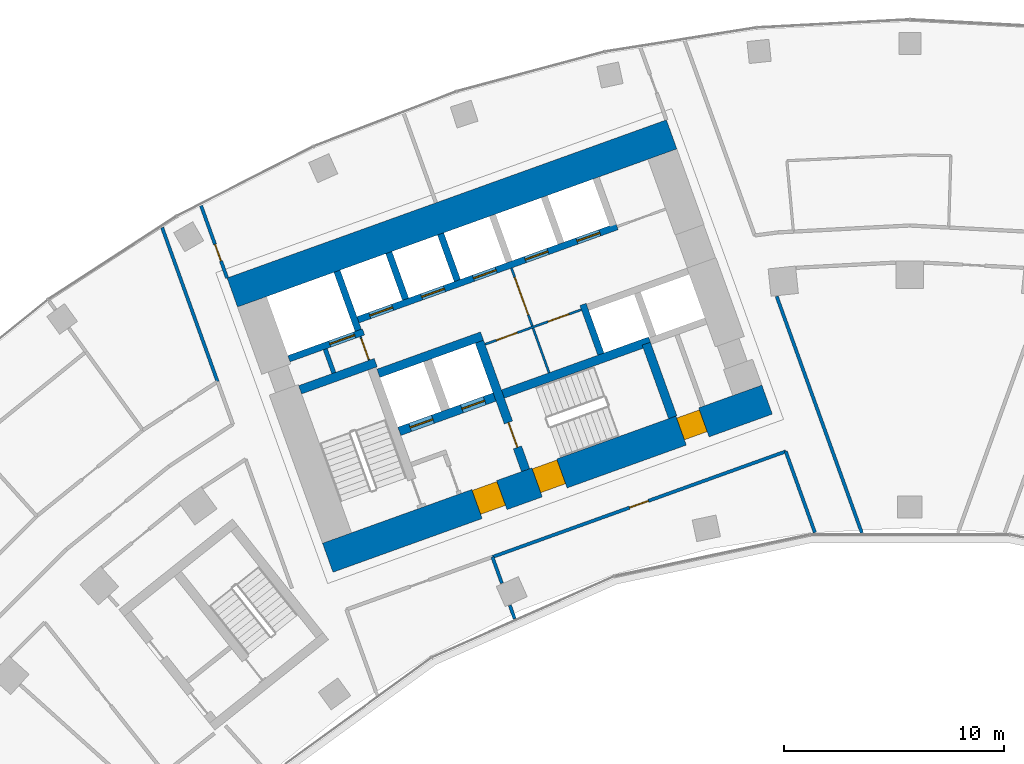
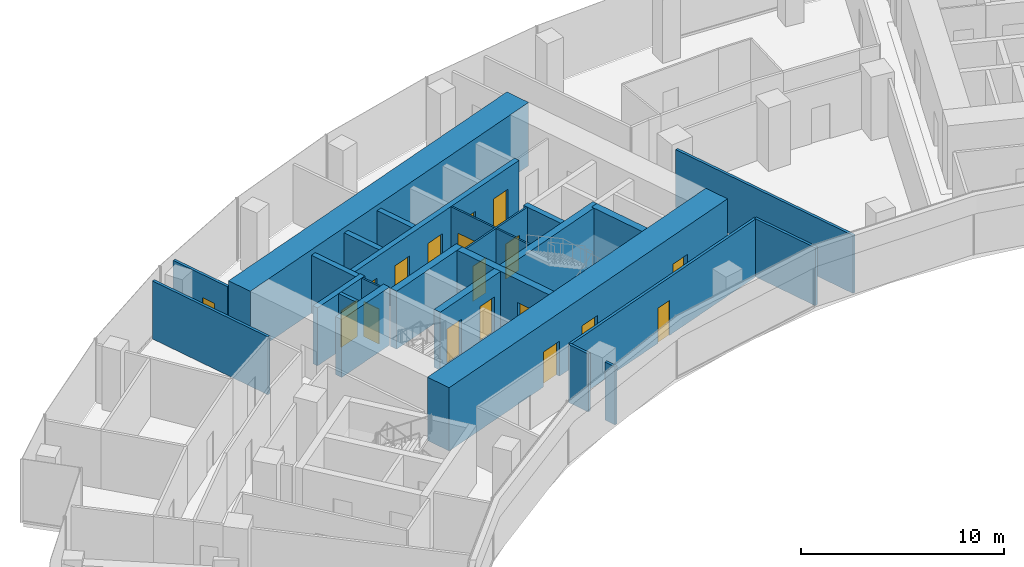
# One storey, part 14 of 20: 24 walls, 18 doors, 18 openings.
"""IFC4 building model written with IfcOpenShell, lengths in metres."""

import ifcopenshell
import ifcopenshell.guid

model = None  # the IFC model being written
_history = None  # IfcOwnerHistory: only IFC2X3 demands one
_inside = {}  # id of a spatial element -> (the spatial element, [elements in it])
_under = {}  # id of a project, library or spatial element -> (it, [spatial elements below it])
_declared = {}  # id of a project -> (the project, [libraries it declares])
_typed = {}  # id of a type object -> (the type object, [elements of that type])
_made_of = {}  # id of a material, layer set ... -> (it, [elements and type objects made of it])


def new_model(schema):
    """Start an empty IFC model of exactly this schema.

    Asked for "IFC4X3", IfcOpenShell would pick the latest addendum, in which some entities
    have other attributes; the version numbers below select the first issue.
    IFC2X3 requires an IfcOwnerHistory on every rooted entity: one is made here for all.
    """
    global model, _history
    if schema == "IFC4X3":
        model = ifcopenshell.file(schema_version=(4, 3, 0, 0))
    else:
        model = ifcopenshell.file(schema=schema)
    _inside.clear()
    _under.clear()
    _declared.clear()
    _typed.clear()
    _made_of.clear()
    _history = None
    if model.schema == "IFC2X3":
        org = make("IfcOrganization", Name="unknown")
        user = make(
            "IfcPersonAndOrganization",
            ThePerson=make("IfcPerson", FamilyName="unknown"),
            TheOrganization=org,
        )
        app = make(
            "IfcApplication",
            ApplicationDeveloper=org,
            Version="unknown",
            ApplicationFullName="unknown",
            ApplicationIdentifier="unknown",
        )
        _history = make(
            "IfcOwnerHistory",
            OwningUser=user,
            OwningApplication=app,
            ChangeAction="ADDED",
            CreationDate=0,
        )
    return model


def make(cls, **values):
    """One entity of the class cls with the attributes given. An attribute that is None is left unset."""
    return model.create_entity(
        cls, **{name: value for name, value in values.items() if value is not None}
    )


def rooted(cls, **values):
    """An entity with a GlobalId (a new one), such as an element, a storey or a relation."""
    return make(cls, GlobalId=ifcopenshell.guid.new(), OwnerHistory=_history, **values)


def si_unit(unit_type, name, prefix=None):
    """IfcSIUnit, for example si_unit("LENGTHUNIT", "METRE", prefix="MILLI")."""
    return make("IfcSIUnit", UnitType=unit_type, Prefix=prefix, Name=name)


def assignment(units):
    """IfcUnitAssignment: the units of a project."""
    return None if units is None else make("IfcUnitAssignment", Units=units)


def point(xyz):
    """IfcCartesianPoint."""
    return None if xyz is None else make("IfcCartesianPoint", Coordinates=xyz)


def direction(xyz):
    """IfcDirection."""
    return None if xyz is None else make("IfcDirection", DirectionRatios=xyz)


def frame(location, z_axis=None, x_axis=None):
    """IfcAxis2Placement3D, a coordinate frame: its origin and axes. An axis left out is left unset."""
    return make(
        "IfcAxis2Placement3D",
        Location=point(location),
        Axis=direction(z_axis),
        RefDirection=direction(x_axis),
    )


def frame_2d(location, x_axis=None):
    """IfcAxis2Placement2D, a coordinate frame in the plane: its origin and x axis."""
    return make(
        "IfcAxis2Placement2D", Location=point(location), RefDirection=direction(x_axis)
    )


def origin():
    """The frame at (0, 0, 0) with its axes left unset."""
    return frame((0.0, 0.0, 0.0))


def place(relative_to, where):
    """IfcLocalPlacement: puts the frame where relative to a parent placement (None: the world)."""
    return make(
        "IfcLocalPlacement", PlacementRelTo=relative_to, RelativePlacement=where
    )


def context(
    kind, dimensions, precision=None, world=None, true_north=None, identifier=None
):
    """IfcGeometricRepresentationContext, for example the 3D "Model" context."""
    return make(
        "IfcGeometricRepresentationContext",
        ContextIdentifier=identifier,
        ContextType=kind,
        CoordinateSpaceDimension=dimensions,
        Precision=precision,
        WorldCoordinateSystem=world,
        TrueNorth=true_north,
    )


def subcontext(parent, identifier, kind, view, scale=None):
    """IfcGeometricRepresentationSubContext, for example "Body" below "Model"."""
    return make(
        "IfcGeometricRepresentationSubContext",
        ContextIdentifier=identifier,
        ContextType=kind,
        ParentContext=parent,
        TargetScale=scale,
        TargetView=view,
    )


def project(units=None, contexts=None):
    """IfcProject with its units and contexts."""
    return rooted(
        "IfcProject",
        Name="project",
        RepresentationContexts=contexts,
        UnitsInContext=assignment(units),
    )


def spatial(cls, under=None, at=None, **own):
    """A site, building, storey or space (cls), placed at a placement, below another one or the project."""
    s = rooted(cls, ObjectPlacement=at, **own)
    if under is not None:
        _under.setdefault(under.id(), (under, []))[1].append(s)
    return s


def profile(cls, at=None, kind="AREA", **sizes):
    """A parametric profile (cls). Its sizes go by their IFC names, for example OverallWidth=200.0."""
    return make(cls, ProfileType=kind, Position=at, **sizes)


def rectangle(**sizes):
    """IfcRectangleProfileDef."""
    return profile("IfcRectangleProfileDef", **sizes)


def extrude(swept, where, along, depth):
    """IfcExtrudedAreaSolid: the profile swept, set in the frame where, extruded along a direction by depth."""
    return make(
        "IfcExtrudedAreaSolid",
        SweptArea=swept,
        Position=where,
        ExtrudedDirection=direction(along),
        Depth=depth,
    )


def shape(context_of_items, identifier, shape_type, items):
    """IfcShapeRepresentation: the items that make up one representation, for example the "Body"."""
    return make(
        "IfcShapeRepresentation",
        ContextOfItems=context_of_items,
        RepresentationIdentifier=identifier,
        RepresentationType=shape_type,
        Items=items,
    )


def material(Name=None, Category=None):
    """IfcMaterial."""
    return make("IfcMaterial", Name=Name, Category=Category)


def layer(
    of_material, thickness, ventilated=None, Name=None, Category=None, Priority=None
):
    """IfcMaterialLayer: one layer of a wall or slab, of a material (None: an air gap)."""
    return make(
        "IfcMaterialLayer",
        Material=of_material,
        LayerThickness=thickness,
        IsVentilated=ventilated,
        Name=Name,
        Category=Category,
        Priority=Priority,
    )


def layer_set(layers, Name=None):
    """IfcMaterialLayerSet."""
    return make("IfcMaterialLayerSet", MaterialLayers=layers, LayerSetName=Name)


def made_of(thing, what):
    """Note that an element or type object is made of a material, layer set ...; save() writes the relation."""
    if what is not None:
        _made_of.setdefault(what.id(), (what, []))[1].append(thing)
    return thing


def type_object(cls, material=None, **own):
    """A type object (cls), such as IfcWallType, which elements share."""
    return made_of(rooted(cls, **own), material)


def element(
    cls,
    number,
    at=None,
    inside=None,
    cuts=None,
    type_object=None,
    material=None,
    context=None,
    identifier="Body",
    shape_type=None,
    held_by="IfcProductDefinitionShape",
    body=None,
    shapes=None,
    **own,
):
    """One element of the class cls, such as IfcWall. Its Tag is "e" and its number.

    at: its placement. inside: the storey or other place that contains it. cuts: it is an
    opening in that element (IfcRelVoidsElement). A single representation is given by context,
    identifier, shape_type and body (its items); several are given by shapes. held_by: the class
    of the entity that holds the representations. save() writes the other relations.
    """
    e = rooted(cls, Tag="e%d" % number, ObjectPlacement=at, **own)
    if body is not None:
        shapes = [shape(context, identifier, shape_type, body)]
    if shapes is not None:
        e.Representation = make(held_by, Representations=shapes)
    if inside is not None:
        _inside.setdefault(inside.id(), (inside, []))[1].append(e)
    if cuts is not None:
        rooted(
            "IfcRelVoidsElement", RelatingBuildingElement=cuts, RelatedOpeningElement=e
        )
    if type_object is not None:
        _typed.setdefault(type_object.id(), (type_object, []))[1].append(e)
    return made_of(e, material)


def fill(opening, filler):
    """IfcRelFillsElement: the door or window that sits in an opening."""
    return rooted(
        "IfcRelFillsElement",
        RelatingOpeningElement=opening,
        RelatedBuildingElement=filler,
    )


def aggregate(whole, parts):
    """IfcRelAggregates: a whole, such as a stair, and the parts it consists of."""
    return rooted("IfcRelAggregates", RelatingObject=whole, RelatedObjects=parts)


def save(model, path):
    """Write the relations noted so far, then the file.

    IfcRelAggregates (storeys below a building ...), IfcRelContainedInSpatialStructure (elements
    in a storey), IfcRelDefinesByType, IfcRelAssociatesMaterial and IfcRelDeclares: one each for
    every whole, place, type object, material and project.
    """
    for whole, parts in _under.values():
        aggregate(whole, parts)
    for where, things in _inside.values():
        rooted(
            "IfcRelContainedInSpatialStructure",
            RelatedElements=things,
            RelatingStructure=where,
        )
    for kind, things in _typed.values():
        rooted("IfcRelDefinesByType", RelatedObjects=things, RelatingType=kind)
    for what, things in _made_of.values():
        rooted("IfcRelAssociatesMaterial", RelatedObjects=things, RelatingMaterial=what)
    for by, libraries in _declared.values():
        rooted("IfcRelDeclares", RelatingContext=by, RelatedDefinitions=libraries)
    model.write(path)


model = new_model("IFC4")

# Units and contexts
model_context = context("Model", 3, precision=1e-05, world=origin(), true_north=direction((0.0, 1.0)))
body_context = subcontext(model_context, "Body", "Model", "MODEL_VIEW")
ifc_project = project(units=[si_unit("LENGTHUNIT", "METRE"), si_unit("AREAUNIT", "SQUARE_METRE"), si_unit("VOLUMEUNIT", "CUBIC_METRE"), si_unit("PLANEANGLEUNIT", "RADIAN"), si_unit("MASSUNIT", "GRAM", prefix="KILO")], contexts=[model_context])

# Site, building, storey
site_placement = place(None, origin())
site = spatial("IfcSite", under=ifc_project, at=site_placement, CompositionType="ELEMENT")
building_placement = place(site_placement, origin())
building = spatial("IfcBuilding", under=site, at=building_placement, Name="Stone Belt Terrace Tower", CompositionType="ELEMENT")
storey_placement = place(building_placement, frame((0.0, 0.0, 182.0)))
storey = spatial("IfcBuildingStorey", under=building, at=storey_placement, Name="L44", CompositionType="ELEMENT", Elevation=182.0)

# Wall, opening, door
ifc_material_1 = material(Name="Plasterboard partition")
ifc_layer_1 = layer(ifc_material_1, 0.10009765625)
ifc_layer_set_1 = layer_set([ifc_layer_1], Name="Core partition 100")
wall_type_1 = type_object("IfcWallType", Name="Core partition 100", PredefinedType="PARTITIONING", material=ifc_layer_set_1)
wall_1_placement = place(storey_placement, frame((-24.555908203125, 51.10400390625, 0.0), z_axis=(0.0, 0.0, 1.0), x_axis=(-0.338621735342, 0.94092258999, 0.0)))
wall_1 = element("IfcWall", 1, at=wall_1_placement, inside=storey, type_object=wall_type_1, Name="Core A wall", PredefinedType="PARTITIONING", context=body_context, shape_type="SweptSolid", body=[
    extrude(rectangle(XDim=1.14990234375, YDim=0.10009765625, at=frame_2d((0.574951171875, 0.0))), origin(), (0.0, 0.0, 1.0), 3.47998046875),
])
opening_1_placement = place(wall_1_placement, frame((0.050048828125, 0.0, 0.0)))
opening_1 = element("IfcOpeningElement", 2, at=opening_1_placement, cuts=wall_1, Name="Opening L44-C05", PredefinedType="OPENING", context=body_context, shape_type="SweptSolid", body=[
    extrude(rectangle(XDim=1.0, YDim=2.10009765625, at=frame_2d((0.5, 1.050048828125))), frame((0.0, 0.06005859375, 0.0), z_axis=(0.0, -1.0, 0.0), x_axis=(1.0, 0.0, 0.0)), (0.0, 0.0, 1.0), 0.1201171875),
])
ifc_material_2 = material(Name="Timber door leaf", Category="wood")
door_type_1 = type_object("IfcDoorType", Name="Core room door 1000", OperationType="SINGLE_SWING_LEFT", PredefinedType="DOOR", material=ifc_material_2)
door_1_placement = place(opening_1_placement, origin())
door_1 = element("IfcDoor", 3, at=door_1_placement, inside=storey, type_object=door_type_1, Name="Service lift lobby door core A", OperationType="SINGLE_SWING_LEFT", OverallHeight=2.10009765625, OverallWidth=1.0, PredefinedType="DOOR", context=body_context, shape_type="SweptSolid", body=[
    extrude(rectangle(XDim=1.0, YDim=2.10009765625, at=frame_2d((0.5, 1.050048828125))), frame((0.0, 0.02490234375, 0.0), z_axis=(0.0, -1.0, 0.0), x_axis=(1.0, 0.0, 0.0)), (0.0, 0.0, 1.0), 0.050048828125),
])
fill(opening_1, door_1)

# Wall, openings, doors
wall_2_placement = place(storey_placement, frame((-19.29052734375, 51.829833984375, 0.0), z_axis=(0.0, 0.0, 1.0), x_axis=(0.940930240745, 0.338600475563, 0.0)))
wall_2 = element("IfcWall", 4, at=wall_2_placement, inside=storey, type_object=wall_type_1, Name="Core A wall", PredefinedType="PARTITIONING", context=body_context, shape_type="SweptSolid", body=[
    extrude(rectangle(XDim=4.64990234375, YDim=0.10009765625, at=frame_2d((2.324951171875, 0.0))), origin(), (0.0, 0.0, 1.0), 3.47998046875),
])
opening_2_placement = place(wall_2_placement, frame((0.550048828125, 0.0, 0.0)))
opening_2 = element("IfcOpeningElement", 5, at=opening_2_placement, cuts=wall_2, Name="Opening L44-C02", PredefinedType="OPENING", context=body_context, shape_type="SweptSolid", body=[
    extrude(rectangle(XDim=1.0, YDim=2.10009765625, at=frame_2d((0.5, 1.050048828125))), frame((0.0, 0.06005859375, 0.0), z_axis=(0.0, -1.0, 0.0), x_axis=(1.0, 0.0, 0.0)), (0.0, 0.0, 1.0), 0.1201171875),
])
opening_3_placement = place(wall_2_placement, frame((3.050048828125, 0.0, 0.0)))
opening_3 = element("IfcOpeningElement", 6, at=opening_3_placement, cuts=wall_2, Name="Opening L44-C03", PredefinedType="OPENING", context=body_context, shape_type="SweptSolid", body=[
    extrude(rectangle(XDim=1.0, YDim=2.10009765625, at=frame_2d((0.5, 1.050048828125))), frame((0.0, 0.06005859375, 0.0), z_axis=(0.0, -1.0, 0.0), x_axis=(1.0, 0.0, 0.0)), (0.0, 0.0, 1.0), 0.1201171875),
])
door_2_placement = place(opening_2_placement, origin())
door_2 = element("IfcDoor", 7, at=door_2_placement, inside=storey, type_object=door_type_1, Name="Door to Staff pantry core A", OperationType="SINGLE_SWING_LEFT", OverallHeight=2.10009765625, OverallWidth=1.0, PredefinedType="DOOR", context=body_context, shape_type="SweptSolid", body=[
    extrude(rectangle(XDim=1.0, YDim=2.10009765625, at=frame_2d((0.5, 1.050048828125))), frame((0.0, 0.02490234375, 0.0), z_axis=(0.0, -1.0, 0.0), x_axis=(1.0, 0.0, 0.0)), (0.0, 0.0, 1.0), 0.050048828125),
])
fill(opening_2, door_2)
door_3_placement = place(opening_3_placement, origin())
door_3 = element("IfcDoor", 8, at=door_3_placement, inside=storey, type_object=door_type_1, Name="Door to Telecommunications room core A", OperationType="SINGLE_SWING_RIGHT", OverallHeight=2.10009765625, OverallWidth=1.0, PredefinedType="DOOR", context=body_context, shape_type="SweptSolid", body=[
    extrude(rectangle(XDim=1.0, YDim=2.10009765625, at=frame_2d((0.5, 1.050048828125))), frame((0.0, 0.02490234375, 0.0), z_axis=(0.0, -1.0, 0.0), x_axis=(1.0, 0.0, 0.0)), (0.0, 0.0, 1.0), 0.050048828125),
])
fill(opening_3, door_3)

# Wall, opening, door
wall_3_placement = place(storey_placement, frame((-16.38134765625, 50.53857421875, 0.0), z_axis=(0.0, 0.0, 1.0), x_axis=(-0.33860476744, 0.940928696271, 0.0)))
wall_3 = element("IfcWall", 9, at=wall_3_placement, inside=storey, type_object=wall_type_1, Name="Core A wall", PredefinedType="PARTITIONING", context=body_context, shape_type="SweptSolid", body=[
    extrude(rectangle(XDim=5.050048828125, YDim=0.10009765625, at=frame_2d((2.52490234375, 0.0))), origin(), (0.0, 0.0, 1.0), 3.47998046875),
])
opening_4_placement = place(wall_3_placement, frame((2.800048828125, 0.0, 0.0)))
opening_4 = element("IfcOpeningElement", 10, at=opening_4_placement, cuts=wall_3, Name="Opening L44-C06", PredefinedType="OPENING", context=body_context, shape_type="SweptSolid", body=[
    extrude(rectangle(XDim=1.800048828125, YDim=2.10009765625, at=frame_2d((0.89990234375, 1.050048828125))), frame((0.0, 0.06005859375, 0.0), z_axis=(0.0, -1.0, 0.0), x_axis=(1.0, 0.0, 0.0)), (0.0, 0.0, 1.0), 0.1201171875),
])
ifc_material_3 = material(Name="Glazed aluminium door leaf", Category="aluminium")
door_type_2 = type_object("IfcDoorType", Name="Lift lobby entrance door 1800", OperationType="DOUBLE_DOOR_SINGLE_SWING", PredefinedType="DOOR", material=ifc_material_3)
door_4_placement = place(opening_4_placement, origin())
door_4 = element("IfcDoor", 11, at=door_4_placement, inside=storey, type_object=door_type_2, Name="Lift lobby double door core A", OperationType="DOUBLE_DOOR_SINGLE_SWING", OverallHeight=2.10009765625, OverallWidth=1.800048828125, PredefinedType="DOOR", context=body_context, shape_type="SweptSolid", body=[
    extrude(rectangle(XDim=1.800048828125, YDim=2.10009765625, at=frame_2d((0.89990234375, 1.050048828125))), frame((0.0, 0.02490234375, 0.0), z_axis=(0.0, -1.0, 0.0), x_axis=(1.0, 0.0, 0.0)), (0.0, 0.0, 1.0), 0.050048828125),
])
fill(opening_4, door_4)

# Wall, openings, doors
ifc_material_4 = material(Name="Concrete B80", Category="concrete")
ifc_layer_2 = layer(ifc_material_4, 1.39990234375)
ifc_layer_set_2 = layer_set([ifc_layer_2], Name="Core wall 1400 B80")
wall_type_2 = type_object("IfcWallType", Name="Core wall 1400 B80", PredefinedType="SHEAR", material=ifc_layer_set_2)
wall_4_placement = place(storey_placement, frame((-26.430908203125, 42.139404296875, 0.0), z_axis=(0.0, 0.0, 1.0), x_axis=(0.940923374003, 0.33861955681, 0.0)))
wall_4 = element("IfcWall", 12, at=wall_4_placement, inside=storey, type_object=wall_type_2, Name="Core A wall concave L44", PredefinedType="SHEAR", context=body_context, shape_type="SweptSolid", body=[
    extrude(rectangle(XDim=21.199951171875, YDim=1.39990234375, at=frame_2d((10.60009765625, 0.0))), origin(), (0.0, 0.0, 1.0), 3.800048828125),
])
opening_5_placement = place(wall_4_placement, frame((7.199951171875, 0.0, 0.0)))
opening_5 = element("IfcOpeningElement", 13, at=opening_5_placement, cuts=wall_4, Name="Opening L44-C10", PredefinedType="OPENING", context=body_context, shape_type="SweptSolid", body=[
    extrude(rectangle(XDim=1.199951171875, YDim=2.10009765625, at=frame_2d((0.60009765625, 1.050048828125))), frame((0.0, 0.7099609375, 0.0), z_axis=(0.0, -1.0, 0.0), x_axis=(1.0, 0.0, 0.0)), (0.0, 0.0, 1.0), 1.419921875),
])
opening_6_placement = place(wall_4_placement, frame((10.099853515625, 0.0, 0.0)))
opening_6 = element("IfcOpeningElement", 14, at=opening_6_placement, cuts=wall_4, Name="Opening L44-C12", PredefinedType="OPENING", context=body_context, shape_type="SweptSolid", body=[
    extrude(rectangle(XDim=1.199951171875, YDim=2.10009765625, at=frame_2d((0.60009765625, 1.050048828125))), frame((0.0, 0.7099609375, 0.0), z_axis=(0.0, -1.0, 0.0), x_axis=(1.0, 0.0, 0.0)), (0.0, 0.0, 1.0), 1.419921875),
])
opening_7_placement = place(wall_4_placement, frame((17.050048828125, 0.0, 0.0)))
opening_7 = element("IfcOpeningElement", 15, at=opening_7_placement, cuts=wall_4, Name="Opening L44-C14", PredefinedType="OPENING", context=body_context, shape_type="SweptSolid", body=[
    extrude(rectangle(XDim=1.10009765625, YDim=2.10009765625, at=frame_2d((0.550048828125, 1.050048828125))), frame((0.0, 0.7099609375, 0.0), z_axis=(0.0, -1.0, 0.0), x_axis=(1.0, 0.0, 0.0)), (0.0, 0.0, 1.0), 1.419921875),
])
door_type_3 = type_object("IfcDoorType", Name="Core room door 1100", OperationType="SINGLE_SWING_LEFT", PredefinedType="DOOR", material=ifc_material_2)
door_5_placement = place(opening_7_placement, origin())
door_5 = element("IfcDoor", 16, at=door_5_placement, inside=storey, type_object=door_type_3, Name="Door to Communications riser room core A", OperationType="SINGLE_SWING_LEFT", OverallHeight=2.10009765625, OverallWidth=1.10009765625, PredefinedType="DOOR", context=body_context, shape_type="SweptSolid", body=[
    extrude(rectangle(XDim=1.10009765625, YDim=2.10009765625, at=frame_2d((0.550048828125, 1.050048828125))), frame((0.0, 0.60498046875, 0.0), z_axis=(0.0, -1.0, 0.0), x_axis=(1.0, 0.0, 0.0)), (0.0, 0.0, 1.0), 1.050048828125),
])
fill(opening_7, door_5)
ifc_material_5 = material(Name="Steel door leaf", Category="steel")
door_type_4 = type_object("IfcDoorType", Name="Fire-fighting lobby door 1200", OperationType="SINGLE_SWING_LEFT", PredefinedType="DOOR", material=ifc_material_5)
door_6_placement = place(opening_5_placement, origin())
door_6 = element("IfcDoor", 17, at=door_6_placement, inside=storey, type_object=door_type_4, Name="Fire-fighting lobby door core A", OperationType="SINGLE_SWING_LEFT", OverallHeight=2.10009765625, OverallWidth=1.199951171875, PredefinedType="DOOR", context=body_context, shape_type="SweptSolid", body=[
    extrude(rectangle(XDim=1.199951171875, YDim=2.10009765625, at=frame_2d((0.60009765625, 1.050048828125))), frame((0.0, 0.655029296875, 0.0), z_axis=(0.0, -1.0, 0.0), x_axis=(1.0, 0.0, 0.0)), (0.0, 0.0, 1.0), 1.14990234375),
])
fill(opening_5, door_6)
door_type_5 = type_object("IfcDoorType", Name="Stair door 1200", OperationType="SINGLE_SWING_LEFT", PredefinedType="DOOR", material=ifc_material_5)
door_7_placement = place(opening_6_placement, origin())
door_7 = element("IfcDoor", 18, at=door_7_placement, inside=storey, type_object=door_type_5, Name="Stair 2 exit door core A", OperationType="SINGLE_SWING_RIGHT", OverallHeight=2.10009765625, OverallWidth=1.199951171875, PredefinedType="DOOR", context=body_context, shape_type="SweptSolid", body=[
    extrude(rectangle(XDim=1.199951171875, YDim=2.10009765625, at=frame_2d((0.60009765625, 1.050048828125))), frame((0.0, 0.655029296875, 0.0), z_axis=(0.0, -1.0, 0.0), x_axis=(1.0, 0.0, 0.0)), (0.0, 0.0, 1.0), 1.14990234375),
])
fill(opening_6, door_7)

# Walls
wall_5_placement = place(storey_placement, frame((-30.765380859375, 54.18310546875, 0.0), z_axis=(0.0, 0.0, 1.0), x_axis=(0.940919704758, 0.338629752382, 0.0)))
element("IfcWall", 19, at=wall_5_placement, inside=storey, type_object=wall_type_2, Name="Core A wall convex L44", PredefinedType="SHEAR", context=body_context, shape_type="SweptSolid", body=[
    extrude(rectangle(XDim=21.199951171875, YDim=1.39990234375, at=frame_2d((10.60009765625, 0.0))), origin(), (0.0, 0.0, 1.0), 3.800048828125),
])
ifc_layer_3 = layer(ifc_material_4, 0.39990234375)
ifc_layer_set_3 = layer_set([ifc_layer_3], Name="Fire-fighting lift shaft wall 400")
wall_type_3 = type_object("IfcWallType", Name="Fire-fighting lift shaft wall 400", PredefinedType="SHEAR", material=ifc_layer_set_3)
wall_6_placement = place(storey_placement, frame((-24.130615234375, 50.512939453125, 0.0), z_axis=(0.0, 0.0, 1.0), x_axis=(0.94091168377, 0.338652038744, 0.0)))
element("IfcWall", 20, at=wall_6_placement, inside=storey, type_object=wall_type_3, Name="Core A wall", PredefinedType="SHEAR", context=body_context, shape_type="SweptSolid", body=[
    extrude(rectangle(XDim=5.000244140625, YDim=0.39990234375, at=frame_2d((2.5, 0.0))), origin(), (0.0, 0.0, 1.0), 3.47998046875),
])

# Wall, opening, door
ifc_layer_4 = layer(ifc_material_4, 0.300048828125)
ifc_layer_set_4 = layer_set([ifc_layer_4], Name="Lift shaft wall 300")
wall_type_4 = type_object("IfcWallType", Name="Lift shaft wall 300", PredefinedType="SHEAR", material=ifc_layer_set_4)
wall_7_placement = place(storey_placement, frame((-28.195068359375, 51.17578125, 0.0), z_axis=(0.0, 0.0, 1.0), x_axis=(0.940901243567, 0.338681044427, 0.0)))
wall_7 = element("IfcWall", 21, at=wall_7_placement, inside=storey, type_object=wall_type_4, Name="Core A wall", PredefinedType="SHEAR", context=body_context, shape_type="SweptSolid", body=[
    extrude(rectangle(XDim=3.599853515625, YDim=0.300048828125, at=frame_2d((1.7998046875, 0.0))), origin(), (0.0, 0.0, 1.0), 3.47998046875),
])
opening_8_placement = place(wall_7_placement, frame((1.969970703125, 0.0, 0.0)))
opening_8 = element("IfcOpeningElement", 22, at=opening_8_placement, cuts=wall_7, Name="Opening L44-LD08", PredefinedType="OPENING", context=body_context, shape_type="SweptSolid", body=[
    extrude(rectangle(XDim=1.199951171875, YDim=2.199951171875, at=frame_2d((0.60009765625, 1.10009765625))), frame((0.0, 0.159912109375, 0.0), z_axis=(0.0, -1.0, 0.0), x_axis=(1.0, 0.0, 0.0)), (0.0, 0.0, 1.0), 0.320068359375),
])
ifc_material_6 = material(Name="Stainless steel door leaf", Category="steel")
door_type_6 = type_object("IfcDoorType", Name="Landing door 1200", OperationType="SLIDING_TO_LEFT", PredefinedType="DOOR", material=ifc_material_6)
door_8_placement = place(opening_8_placement, origin())
door_8 = element("IfcDoor", 23, at=door_8_placement, inside=storey, type_object=door_type_6, Name="Landing door SV1 core A", OperationType="SLIDING_TO_LEFT", OverallHeight=2.199951171875, OverallWidth=1.199951171875, PredefinedType="DOOR", context=body_context, shape_type="SweptSolid", body=[
    extrude(rectangle(XDim=1.199951171875, YDim=2.199951171875, at=frame_2d((0.60009765625, 1.10009765625))), frame((0.0, 0.02490234375, 0.0), z_axis=(0.0, -1.0, 0.0), x_axis=(1.0, 0.0, 0.0)), (0.0, 0.0, 1.0), 0.050048828125),
])
fill(opening_8, door_8)

# Wall
wall_8_placement = place(storey_placement, frame((-25.046875, 52.46826171875, 0.0), z_axis=(0.0, 0.0, 1.0), x_axis=(-0.338549588058, 0.940948551423, 0.0)))
element("IfcWall", 24, at=wall_8_placement, inside=storey, type_object=wall_type_4, Name="Core A wall", PredefinedType="SHEAR", context=body_context, shape_type="SweptSolid", body=[
    extrude(rectangle(XDim=2.849853515625, YDim=0.300048828125, at=frame_2d((1.4248046875, 0.0))), origin(), (0.0, 0.0, 1.0), 3.47998046875),
])

# Wall, openings, doors
wall_9_placement = place(storey_placement, frame((-25.05810546875, 52.9423828125, 0.0), z_axis=(0.0, 0.0, 1.0), x_axis=(0.940920770291, 0.338626791666, 0.0)))
wall_9 = element("IfcWall", 25, at=wall_9_placement, inside=storey, type_object=wall_type_4, Name="Core A wall", PredefinedType="SHEAR", context=body_context, shape_type="SweptSolid", body=[
    extrude(rectangle(XDim=12.500244140625, YDim=0.300048828125, at=frame_2d((6.25, 0.0))), origin(), (0.0, 0.0, 1.0), 3.47998046875),
])
opening_9_placement = place(wall_9_placement, frame((0.570068359375, 0.0, 0.0)))
opening_9 = element("IfcOpeningElement", 26, at=opening_9_placement, cuts=wall_9, Name="Opening L44-LD01", PredefinedType="OPENING", context=body_context, shape_type="SweptSolid", body=[
    extrude(rectangle(XDim=1.10009765625, YDim=2.199951171875, at=frame_2d((0.550048828125, 1.10009765625))), frame((0.0, 0.159912109375, 0.0), z_axis=(0.0, -1.0, 0.0), x_axis=(1.0, 0.0, 0.0)), (0.0, 0.0, 1.0), 0.320068359375),
])
opening_10_placement = place(wall_9_placement, frame((3.070068359375, 0.0, 0.0)))
opening_10 = element("IfcOpeningElement", 27, at=opening_10_placement, cuts=wall_9, Name="Opening L44-LD02", PredefinedType="OPENING", context=body_context, shape_type="SweptSolid", body=[
    extrude(rectangle(XDim=1.10009765625, YDim=2.199951171875, at=frame_2d((0.550048828125, 1.10009765625))), frame((0.0, 0.159912109375, 0.0), z_axis=(0.0, -1.0, 0.0), x_axis=(1.0, 0.0, 0.0)), (0.0, 0.0, 1.0), 0.320068359375),
])
opening_11_placement = place(wall_9_placement, frame((5.570068359375, 0.0, 0.0)))
opening_11 = element("IfcOpeningElement", 28, at=opening_11_placement, cuts=wall_9, Name="Opening L44-LD03", PredefinedType="OPENING", context=body_context, shape_type="SweptSolid", body=[
    extrude(rectangle(XDim=1.10009765625, YDim=2.199951171875, at=frame_2d((0.550048828125, 1.10009765625))), frame((0.0, 0.159912109375, 0.0), z_axis=(0.0, -1.0, 0.0), x_axis=(1.0, 0.0, 0.0)), (0.0, 0.0, 1.0), 0.320068359375),
])
opening_12_placement = place(wall_9_placement, frame((8.070068359375, 0.0, 0.0)))
opening_12 = element("IfcOpeningElement", 29, at=opening_12_placement, cuts=wall_9, Name="Opening L44-LD04", PredefinedType="OPENING", context=body_context, shape_type="SweptSolid", body=[
    extrude(rectangle(XDim=1.10009765625, YDim=2.199951171875, at=frame_2d((0.550048828125, 1.10009765625))), frame((0.0, 0.159912109375, 0.0), z_axis=(0.0, -1.0, 0.0), x_axis=(1.0, 0.0, 0.0)), (0.0, 0.0, 1.0), 0.320068359375),
])
opening_13_placement = place(wall_9_placement, frame((10.570068359375, 0.0, 0.0)))
opening_13 = element("IfcOpeningElement", 30, at=opening_13_placement, cuts=wall_9, Name="Opening L44-LD05", PredefinedType="OPENING", context=body_context, shape_type="SweptSolid", body=[
    extrude(rectangle(XDim=1.10009765625, YDim=2.199951171875, at=frame_2d((0.550048828125, 1.10009765625))), frame((0.0, 0.159912109375, 0.0), z_axis=(0.0, -1.0, 0.0), x_axis=(1.0, 0.0, 0.0)), (0.0, 0.0, 1.0), 0.320068359375),
])
door_type_7 = type_object("IfcDoorType", Name="Landing door 1100", OperationType="SLIDING_TO_LEFT", PredefinedType="DOOR", material=ifc_material_6)
door_9_placement = place(opening_9_placement, origin())
door_9 = element("IfcDoor", 31, at=door_9_placement, inside=storey, type_object=door_type_7, Name="Landing door MR1 core A", OperationType="SLIDING_TO_LEFT", OverallHeight=2.199951171875, OverallWidth=1.10009765625, PredefinedType="DOOR", context=body_context, shape_type="SweptSolid", body=[
    extrude(rectangle(XDim=1.10009765625, YDim=2.199951171875, at=frame_2d((0.550048828125, 1.10009765625))), frame((0.0, 0.02490234375, 0.0), z_axis=(0.0, -1.0, 0.0), x_axis=(1.0, 0.0, 0.0)), (0.0, 0.0, 1.0), 0.050048828125),
])
fill(opening_9, door_9)
door_10_placement = place(opening_10_placement, origin())
door_10 = element("IfcDoor", 32, at=door_10_placement, inside=storey, type_object=door_type_7, Name="Landing door MR2 core A", OperationType="SLIDING_TO_LEFT", OverallHeight=2.199951171875, OverallWidth=1.10009765625, PredefinedType="DOOR", context=body_context, shape_type="SweptSolid", body=[
    extrude(rectangle(XDim=1.10009765625, YDim=2.199951171875, at=frame_2d((0.550048828125, 1.10009765625))), frame((0.0, 0.02490234375, 0.0), z_axis=(0.0, -1.0, 0.0), x_axis=(1.0, 0.0, 0.0)), (0.0, 0.0, 1.0), 0.050048828125),
])
fill(opening_10, door_10)
door_11_placement = place(opening_11_placement, origin())
door_11 = element("IfcDoor", 33, at=door_11_placement, inside=storey, type_object=door_type_7, Name="Landing door MR3 core A", OperationType="SLIDING_TO_LEFT", OverallHeight=2.199951171875, OverallWidth=1.10009765625, PredefinedType="DOOR", context=body_context, shape_type="SweptSolid", body=[
    extrude(rectangle(XDim=1.10009765625, YDim=2.199951171875, at=frame_2d((0.550048828125, 1.10009765625))), frame((0.0, 0.02490234375, 0.0), z_axis=(0.0, -1.0, 0.0), x_axis=(1.0, 0.0, 0.0)), (0.0, 0.0, 1.0), 0.050048828125),
])
fill(opening_11, door_11)
door_12_placement = place(opening_12_placement, origin())
door_12 = element("IfcDoor", 34, at=door_12_placement, inside=storey, type_object=door_type_7, Name="Landing door MR4 core A", OperationType="SLIDING_TO_LEFT", OverallHeight=2.199951171875, OverallWidth=1.10009765625, PredefinedType="DOOR", context=body_context, shape_type="SweptSolid", body=[
    extrude(rectangle(XDim=1.10009765625, YDim=2.199951171875, at=frame_2d((0.550048828125, 1.10009765625))), frame((0.0, 0.02490234375, 0.0), z_axis=(0.0, -1.0, 0.0), x_axis=(1.0, 0.0, 0.0)), (0.0, 0.0, 1.0), 0.050048828125),
])
fill(opening_12, door_12)
door_13_placement = place(opening_13_placement, origin())
door_13 = element("IfcDoor", 35, at=door_13_placement, inside=storey, type_object=door_type_7, Name="Landing door MR5 core A", OperationType="SLIDING_TO_LEFT", OverallHeight=2.199951171875, OverallWidth=1.10009765625, PredefinedType="DOOR", context=body_context, shape_type="SweptSolid", body=[
    extrude(rectangle(XDim=1.10009765625, YDim=2.199951171875, at=frame_2d((0.550048828125, 1.10009765625))), frame((0.0, 0.02490234375, 0.0), z_axis=(0.0, -1.0, 0.0), x_axis=(1.0, 0.0, 0.0)), (0.0, 0.0, 1.0), 0.050048828125),
])
fill(opening_13, door_13)

# Walls
wall_10_placement = place(storey_placement, frame((-22.897705078125, 53.87939453125, 0.0), z_axis=(0.0, 0.0, 1.0), x_axis=(-0.338535034312, 0.940953787677, 0.0)))
element("IfcWall", 36, at=wall_10_placement, inside=storey, type_object=wall_type_4, Name="Core A wall", PredefinedType="SHEAR", context=body_context, shape_type="SweptSolid", body=[
    extrude(rectangle(XDim=2.25, YDim=0.300048828125, at=frame_2d((1.125, 0.0))), origin(), (0.0, 0.0, 1.0), 3.47998046875),
])
wall_11_placement = place(storey_placement, frame((-20.54541015625, 54.72607421875, 0.0), z_axis=(0.0, 0.0, 1.0), x_axis=(-0.338569601369, 0.940941350472, 0.0)))
element("IfcWall", 37, at=wall_11_placement, inside=storey, type_object=wall_type_4, Name="Core A wall", PredefinedType="SHEAR", context=body_context, shape_type="SweptSolid", body=[
    extrude(rectangle(XDim=2.249755859375, YDim=0.300048828125, at=frame_2d((1.125, 0.0))), origin(), (0.0, 0.0, 1.0), 3.47998046875),
])
wall_12_placement = place(storey_placement, frame((-14.029052734375, 51.38525390625, 0.0), z_axis=(0.0, 0.0, 1.0), x_axis=(-0.338661829791, 0.940908159728, 0.0)))
element("IfcWall", 38, at=wall_12_placement, inside=storey, type_object=wall_type_4, Name="Core A wall", PredefinedType="SHEAR", context=body_context, shape_type="SweptSolid", body=[
    extrude(rectangle(XDim=2.39990234375, YDim=0.300048828125, at=frame_2d((1.199951171875, 0.0))), origin(), (0.0, 0.0, 1.0), 3.47998046875),
])

# Wall, opening, door
ifc_material_7 = material(Name="Gypsum board partition")
ifc_layer_5 = layer(ifc_material_7, 0.14990234375)
ifc_layer_set_5 = layer_set([ifc_layer_5], Name="PARTITION 150 EI 60")
wall_type_5 = type_object("IfcWallType", Name="PARTITION 150 EI 60", PredefinedType="PARTITIONING", material=ifc_layer_set_5)
wall_13_placement = place(storey_placement, frame((-32.185791015625, 58.131103515625, 0.0), z_axis=(0.0, 0.0, 1.0), x_axis=(0.338662585219, -0.940907887826, 0.0)))
wall_13 = element("IfcWall", 39, at=wall_13_placement, inside=storey, type_object=wall_type_5, Name="L44/wall/i002", PredefinedType="PARTITIONING", context=body_context, shape_type="SweptSolid", body=[
    extrude(rectangle(XDim=3.49560546875, YDim=0.14990234375, at=frame_2d((1.747802734375, 0.0))), origin(), (0.0, 0.0, 1.0), 3.47998046875),
])
opening_14_placement = place(wall_13_placement, frame((1.871826171875, 0.0, 0.0)))
opening_14 = element("IfcOpeningElement", 40, at=opening_14_placement, cuts=wall_13, Name="Opening D-C5-03", PredefinedType="OPENING", context=body_context, shape_type="SweptSolid", body=[
    extrude(rectangle(XDim=0.800048828125, YDim=2.10009765625, at=frame_2d((0.39990234375, 1.050048828125))), frame((0.0, 0.0849609375, 0.0), z_axis=(0.0, -1.0, 0.0), x_axis=(1.0, 0.0, 0.0)), (0.0, 0.0, 1.0), 0.169921875),
])
door_type_8 = type_object("IfcDoorType", Name="STORE DOOR 800 X 2100", OperationType="NOTDEFINED", PredefinedType="DOOR", material=ifc_material_2)
door_14_placement = place(opening_14_placement, origin())
door_14 = element("IfcDoor", 41, at=door_14_placement, inside=storey, type_object=door_type_8, Name="L44/door/i03", OperationType="SINGLE_SWING_RIGHT", OverallHeight=2.10009765625, OverallWidth=0.800048828125, PredefinedType="DOOR", context=body_context, shape_type="SweptSolid", body=[
    extrude(rectangle(XDim=0.800048828125, YDim=2.10009765625, at=frame_2d((0.39990234375, 1.050048828125))), frame((0.0, 0.02490234375, 0.0), z_axis=(0.0, -1.0, 0.0), x_axis=(1.0, 0.0, 0.0)), (0.0, 0.0, 1.0), 0.050048828125),
])
fill(opening_14, door_14)

# Walls
wall_14_placement = place(storey_placement, frame((-31.431884765625, 50.12890625, 0.0), z_axis=(0.0, 0.0, 1.0), x_axis=(-0.338627692375, 0.940920446136, 0.0)))
element("IfcWall", 42, at=wall_14_placement, inside=storey, type_object=wall_type_5, Name="L44/wall/i006", PredefinedType="PARTITIONING", context=body_context, shape_type="SweptSolid", body=[
    extrude(rectangle(XDim=7.44189453125, YDim=0.14990234375, at=frame_2d((3.720947265625, 0.0))), origin(), (0.0, 0.0, 1.0), 3.47998046875),
])
wall_15_placement = place(storey_placement, frame((-4.31005859375, 43.27783203125, 0.0), z_axis=(0.0, 0.0, 1.0), x_axis=(-0.338490436495, 0.940969831823, 0.0)))
element("IfcWall", 43, at=wall_15_placement, inside=storey, type_object=wall_type_5, Name="L44/wall/i007", PredefinedType="PARTITIONING", context=body_context, shape_type="SweptSolid", body=[
    extrude(rectangle(XDim=3.92578125, YDim=0.14990234375, at=frame_2d((1.962890625, 0.0))), origin(), (0.0, 0.0, 1.0), 3.47998046875),
])
wall_16_placement = place(storey_placement, frame((-6.046875, 54.0087890625, 0.0), z_axis=(0.0, 0.0, 1.0), x_axis=(0.338658916341, -0.940909208363, 0.0)))
element("IfcWall", 44, at=wall_16_placement, inside=storey, type_object=wall_type_5, Name="L44/wall/i009", PredefinedType="PARTITIONING", context=body_context, shape_type="SweptSolid", body=[
    extrude(rectangle(XDim=11.422119140625, YDim=0.14990234375, at=frame_2d((5.7109375, 0.0))), origin(), (0.0, 0.0, 1.0), 3.47998046875),
])

# Wall, opening, door
wall_17_placement = place(storey_placement, frame((-5.636962890625, 46.966064453125, 0.0), z_axis=(0.0, 0.0, 1.0), x_axis=(-0.940912466346, -0.338649864424, 0.0)))
wall_17 = element("IfcWall", 45, at=wall_17_placement, inside=storey, type_object=wall_type_5, Name="L44/wall/i012", PredefinedType="PARTITIONING", context=body_context, shape_type="SweptSolid", body=[
    extrude(rectangle(XDim=14.15966796875, YDim=0.14990234375, at=frame_2d((7.079833984375, 0.0))), origin(), (0.0, 0.0, 1.0), 3.47998046875),
])
opening_15_placement = place(wall_17_placement, frame((6.6298828125, 0.0, 0.0)))
opening_15 = element("IfcOpeningElement", 46, at=opening_15_placement, cuts=wall_17, Name="Opening D-C5-02", PredefinedType="OPENING", context=body_context, shape_type="SweptSolid", body=[
    extrude(rectangle(XDim=0.89990234375, YDim=2.10009765625, at=frame_2d((0.449951171875, 1.050048828125))), frame((0.0, 0.0849609375, 0.0), z_axis=(0.0, -1.0, 0.0), x_axis=(1.0, 0.0, 0.0)), (0.0, 0.0, 1.0), 0.169921875),
])
door_type_9 = type_object("IfcDoorType", Name="OFFICE DOOR 900 X 2100", OperationType="NOTDEFINED", PredefinedType="DOOR", material=ifc_material_2)
door_15_placement = place(opening_15_placement, origin())
door_15 = element("IfcDoor", 47, at=door_15_placement, inside=storey, type_object=door_type_9, Name="L44/door/i02", OperationType="SINGLE_SWING_RIGHT", OverallHeight=2.10009765625, OverallWidth=0.89990234375, PredefinedType="DOOR", context=body_context, shape_type="SweptSolid", body=[
    extrude(rectangle(XDim=0.89990234375, YDim=2.10009765625, at=frame_2d((0.449951171875, 1.050048828125))), frame((0.0, 0.02490234375, 0.0), z_axis=(0.0, -1.0, 0.0), x_axis=(1.0, 0.0, 0.0)), (0.0, 0.0, 1.0), 0.050048828125),
])
fill(opening_15, door_15)

# Walls
wall_18_placement = place(storey_placement, frame((-18.9541015625, 42.173095703125, 0.0), z_axis=(0.0, 0.0, 1.0), x_axis=(0.338548592325, -0.940948909684, 0.0)))
element("IfcWall", 48, at=wall_18_placement, inside=storey, type_object=wall_type_5, Name="L44/wall/i013", PredefinedType="PARTITIONING", context=body_context, shape_type="SweptSolid", body=[
    extrude(rectangle(XDim=1.264892578125, YDim=0.14990234375, at=frame_2d((0.63232421875, 0.0))), origin(), (0.0, 0.0, 1.0), 3.47998046875),
])
wall_19_placement = place(storey_placement, frame((-18.166015625, 39.98291015625, 0.0), z_axis=(0.0, 0.0, 1.0), x_axis=(0.338719468273, -0.940887411869, 0.0)))
element("IfcWall", 49, at=wall_19_placement, inside=storey, type_object=wall_type_5, Name="L44/wall/i014", PredefinedType="PARTITIONING", context=body_context, shape_type="SweptSolid", body=[
    extrude(rectangle(XDim=0.6552734375, YDim=0.14990234375, at=frame_2d((0.32763671875, 0.0))), origin(), (0.0, 0.0, 1.0), 3.47998046875),
])
ifc_material_8 = material(Name="Concrete masonry block", Category="masonry")
ifc_layer_6 = layer(ifc_material_8, 0.199951171875)
ifc_layer_set_6 = layer_set([ifc_layer_6], Name="Rated lobby wall 200")
wall_type_6 = type_object("IfcWallType", Name="Rated lobby wall 200", PredefinedType="PARTITIONING", material=ifc_layer_set_6)
wall_20_placement = place(storey_placement, frame((-26.1552734375, 50.5283203125, 0.0), z_axis=(0.0, 0.0, 1.0), x_axis=(-0.338621735342, 0.94092258999, 0.0)))
element("IfcWall", 50, at=wall_20_placement, inside=storey, type_object=wall_type_6, Name="Core A wall", PredefinedType="PARTITIONING", context=body_context, shape_type="SweptSolid", body=[
    extrude(rectangle(XDim=1.14990234375, YDim=0.199951171875, at=frame_2d((0.574951171875, 0.0))), origin(), (0.0, 0.0, 1.0), 3.47998046875),
])
ifc_layer_7 = layer(ifc_material_4, 0.39990234375)
ifc_layer_set_7 = layer_set([ifc_layer_7], Name="Stair enclosure wall 400")
wall_type_7 = type_object("IfcWallType", Name="Stair enclosure wall 400", PredefinedType="SHEAR", material=ifc_layer_set_7)
wall_21_placement = place(storey_placement, frame((-27.687255859375, 49.764404296875, 0.0), z_axis=(0.0, 0.0, 1.0), x_axis=(0.940918954884, 0.338631835981, 0.0)))
element("IfcWall", 51, at=wall_21_placement, inside=storey, type_object=wall_type_7, Name="Core A wall", PredefinedType="SHEAR", context=body_context, shape_type="SweptSolid", body=[
    extrude(rectangle(XDim=3.650146484375, YDim=0.39990234375, at=frame_2d((1.8251953125, 0.0))), origin(), (0.0, 0.0, 1.0), 3.47998046875),
])

# Wall, openings, doors
wall_22_placement = place(storey_placement, frame((-23.182373046875, 47.87841796875, 0.0), z_axis=(0.0, 0.0, 1.0), x_axis=(0.940921101762, 0.338625870628, 0.0)))
wall_22 = element("IfcWall", 52, at=wall_22_placement, inside=storey, type_object=wall_type_7, Name="Core A wall", PredefinedType="SHEAR", context=body_context, shape_type="SweptSolid", body=[
    extrude(rectangle(XDim=12.10009765625, YDim=0.39990234375, at=frame_2d((6.050048828125, 0.0))), origin(), (0.0, 0.0, 1.0), 3.47998046875),
])
opening_16_placement = place(wall_22_placement, frame((0.52001953125, 0.0, 0.0)))
opening_16 = element("IfcOpeningElement", 53, at=opening_16_placement, cuts=wall_22, Name="Opening L44-LD06", PredefinedType="OPENING", context=body_context, shape_type="SweptSolid", body=[
    extrude(rectangle(XDim=1.10009765625, YDim=2.199951171875, at=frame_2d((0.550048828125, 1.10009765625))), frame((0.0, 0.2099609375, 0.0), z_axis=(0.0, -1.0, 0.0), x_axis=(1.0, 0.0, 0.0)), (0.0, 0.0, 1.0), 0.419921875),
])
opening_17_placement = place(wall_22_placement, frame((3.02001953125, 0.0, 0.0)))
opening_17 = element("IfcOpeningElement", 54, at=opening_17_placement, cuts=wall_22, Name="Opening L44-LD07", PredefinedType="OPENING", context=body_context, shape_type="SweptSolid", body=[
    extrude(rectangle(XDim=1.10009765625, YDim=2.199951171875, at=frame_2d((0.550048828125, 1.10009765625))), frame((0.0, 0.2099609375, 0.0), z_axis=(0.0, -1.0, 0.0), x_axis=(1.0, 0.0, 0.0)), (0.0, 0.0, 1.0), 0.419921875),
])
door_16_placement = place(opening_16_placement, origin())
door_16 = element("IfcDoor", 55, at=door_16_placement, inside=storey, type_object=door_type_7, Name="Landing door FF1 core A", OperationType="SLIDING_TO_LEFT", OverallHeight=2.199951171875, OverallWidth=1.10009765625, PredefinedType="DOOR", context=body_context, shape_type="SweptSolid", body=[
    extrude(rectangle(XDim=1.10009765625, YDim=2.199951171875, at=frame_2d((0.550048828125, 1.10009765625))), frame((0.0, 0.02490234375, 0.0), z_axis=(0.0, -1.0, 0.0), x_axis=(1.0, 0.0, 0.0)), (0.0, 0.0, 1.0), 0.050048828125),
])
fill(opening_16, door_16)
door_17_placement = place(opening_17_placement, origin())
door_17 = element("IfcDoor", 56, at=door_17_placement, inside=storey, type_object=door_type_7, Name="Landing door FF2 core A", OperationType="SLIDING_TO_LEFT", OverallHeight=2.199951171875, OverallWidth=1.10009765625, PredefinedType="DOOR", context=body_context, shape_type="SweptSolid", body=[
    extrude(rectangle(XDim=1.10009765625, YDim=2.199951171875, at=frame_2d((0.550048828125, 1.10009765625))), frame((0.0, 0.02490234375, 0.0), z_axis=(0.0, -1.0, 0.0), x_axis=(1.0, 0.0, 0.0)), (0.0, 0.0, 1.0), 0.050048828125),
])
fill(opening_17, door_17)

# Wall, opening, door
wall_23_placement = place(storey_placement, frame((-17.447021484375, 46.116455078125, 0.0), z_axis=(0.0, 0.0, 1.0), x_axis=(-0.33860791464, 0.940927563707, 0.0)))
wall_23 = element("IfcWall", 57, at=wall_23_placement, inside=storey, type_object=wall_type_7, Name="Core A wall", PredefinedType="SHEAR", context=body_context, shape_type="SweptSolid", body=[
    extrude(rectangle(XDim=6.199951171875, YDim=0.39990234375, at=frame_2d((3.10009765625, 0.0))), origin(), (0.0, 0.0, 1.0), 3.47998046875),
])
opening_18_placement = place(wall_23_placement, frame((1.10009765625, 0.0, 0.0)))
opening_18 = element("IfcOpeningElement", 58, at=opening_18_placement, cuts=wall_23, Name="Opening L44-C11", PredefinedType="OPENING", context=body_context, shape_type="SweptSolid", body=[
    extrude(rectangle(XDim=1.199951171875, YDim=2.10009765625, at=frame_2d((0.60009765625, 1.050048828125))), frame((0.0, 0.2099609375, 0.0), z_axis=(0.0, -1.0, 0.0), x_axis=(1.0, 0.0, 0.0)), (0.0, 0.0, 1.0), 0.419921875),
])
door_18_placement = place(opening_18_placement, origin())
door_18 = element("IfcDoor", 59, at=door_18_placement, inside=storey, type_object=door_type_5, Name="Stair 2 door core A", OperationType="SINGLE_SWING_LEFT", OverallHeight=2.10009765625, OverallWidth=1.199951171875, PredefinedType="DOOR", context=body_context, shape_type="SweptSolid", body=[
    extrude(rectangle(XDim=1.199951171875, YDim=2.10009765625, at=frame_2d((0.60009765625, 1.050048828125))), frame((0.0, 0.02490234375, 0.0), z_axis=(0.0, -1.0, 0.0), x_axis=(1.0, 0.0, 0.0)), (0.0, 0.0, 1.0), 0.050048828125),
])
fill(opening_18, door_18)

# Wall
wall_24_placement = place(storey_placement, frame((-10.766357421875, 48.520751953125, 0.0), z_axis=(0.0, 0.0, 1.0), x_axis=(-0.338626928157, 0.94092072117, 0.0)))
element("IfcWall", 60, at=wall_24_placement, inside=storey, type_object=wall_type_7, Name="Core A wall", PredefinedType="SHEAR", context=body_context, shape_type="SweptSolid", body=[
    extrude(rectangle(XDim=3.550048828125, YDim=0.39990234375, at=frame_2d((1.77490234375, 0.0))), origin(), (0.0, 0.0, 1.0), 3.47998046875),
])

save(model, "model.ifc")
